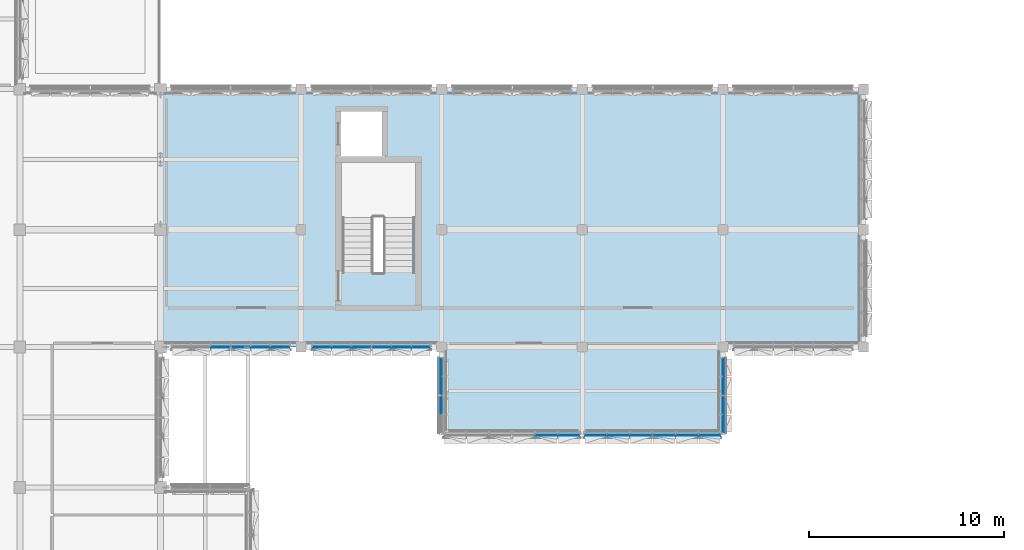
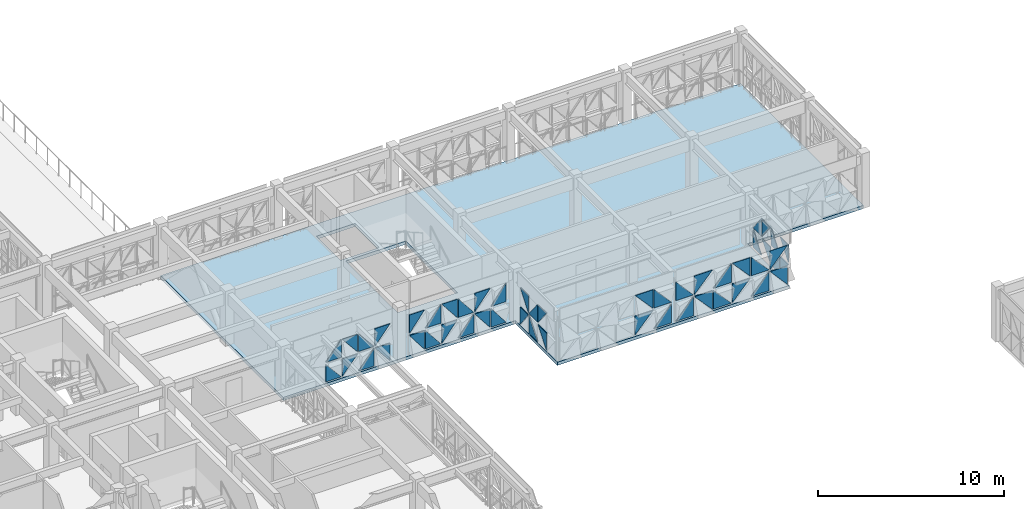
# One storey, part 38 of 99: 50 plates, 1 slab, 6 elements without a shape of their own.
"""IFC4 building model written with IfcOpenShell, lengths in metres."""

import ifcopenshell
import ifcopenshell.guid

model = None  # the IFC model being written
_history = None  # IfcOwnerHistory: only IFC2X3 demands one
_inside = {}  # id of a spatial element -> (the spatial element, [elements in it])
_under = {}  # id of a project, library or spatial element -> (it, [spatial elements below it])
_declared = {}  # id of a project -> (the project, [libraries it declares])
_typed = {}  # id of a type object -> (the type object, [elements of that type])
_made_of = {}  # id of a material, layer set ... -> (it, [elements and type objects made of it])


def new_model(schema):
    """Start an empty IFC model of exactly this schema.

    Asked for "IFC4X3", IfcOpenShell would pick the latest addendum, in which some entities
    have other attributes; the version numbers below select the first issue.
    IFC2X3 requires an IfcOwnerHistory on every rooted entity: one is made here for all.
    """
    global model, _history
    if schema == "IFC4X3":
        model = ifcopenshell.file(schema_version=(4, 3, 0, 0))
    else:
        model = ifcopenshell.file(schema=schema)
    _inside.clear()
    _under.clear()
    _declared.clear()
    _typed.clear()
    _made_of.clear()
    _history = None
    if model.schema == "IFC2X3":
        org = make("IfcOrganization", Name="unknown")
        user = make(
            "IfcPersonAndOrganization",
            ThePerson=make("IfcPerson", FamilyName="unknown"),
            TheOrganization=org,
        )
        app = make(
            "IfcApplication",
            ApplicationDeveloper=org,
            Version="unknown",
            ApplicationFullName="unknown",
            ApplicationIdentifier="unknown",
        )
        _history = make(
            "IfcOwnerHistory",
            OwningUser=user,
            OwningApplication=app,
            ChangeAction="ADDED",
            CreationDate=0,
        )
    return model


def make(cls, **values):
    """One entity of the class cls with the attributes given. An attribute that is None is left unset."""
    return model.create_entity(
        cls, **{name: value for name, value in values.items() if value is not None}
    )


def rooted(cls, **values):
    """An entity with a GlobalId (a new one), such as an element, a storey or a relation."""
    return make(cls, GlobalId=ifcopenshell.guid.new(), OwnerHistory=_history, **values)


def si_unit(unit_type, name, prefix=None):
    """IfcSIUnit, for example si_unit("LENGTHUNIT", "METRE", prefix="MILLI")."""
    return make("IfcSIUnit", UnitType=unit_type, Prefix=prefix, Name=name)


def assignment(units):
    """IfcUnitAssignment: the units of a project."""
    return None if units is None else make("IfcUnitAssignment", Units=units)


def point(xyz):
    """IfcCartesianPoint."""
    return None if xyz is None else make("IfcCartesianPoint", Coordinates=xyz)


def direction(xyz):
    """IfcDirection."""
    return None if xyz is None else make("IfcDirection", DirectionRatios=xyz)


def frame(location, z_axis=None, x_axis=None):
    """IfcAxis2Placement3D, a coordinate frame: its origin and axes. An axis left out is left unset."""
    return make(
        "IfcAxis2Placement3D",
        Location=point(location),
        Axis=direction(z_axis),
        RefDirection=direction(x_axis),
    )


def origin():
    """The frame at (0, 0, 0) with its axes left unset."""
    return frame((0.0, 0.0, 0.0))


def place(relative_to, where):
    """IfcLocalPlacement: puts the frame where relative to a parent placement (None: the world)."""
    return make(
        "IfcLocalPlacement", PlacementRelTo=relative_to, RelativePlacement=where
    )


def context(
    kind, dimensions, precision=None, world=None, true_north=None, identifier=None
):
    """IfcGeometricRepresentationContext, for example the 3D "Model" context."""
    return make(
        "IfcGeometricRepresentationContext",
        ContextIdentifier=identifier,
        ContextType=kind,
        CoordinateSpaceDimension=dimensions,
        Precision=precision,
        WorldCoordinateSystem=world,
        TrueNorth=true_north,
    )


def subcontext(parent, identifier, kind, view, scale=None):
    """IfcGeometricRepresentationSubContext, for example "Body" below "Model"."""
    return make(
        "IfcGeometricRepresentationSubContext",
        ContextIdentifier=identifier,
        ContextType=kind,
        ParentContext=parent,
        TargetScale=scale,
        TargetView=view,
    )


def project(units=None, contexts=None):
    """IfcProject with its units and contexts."""
    return rooted(
        "IfcProject",
        Name="project",
        RepresentationContexts=contexts,
        UnitsInContext=assignment(units),
    )


def spatial(cls, under=None, at=None, **own):
    """A site, building, storey or space (cls), placed at a placement, below another one or the project."""
    s = rooted(cls, ObjectPlacement=at, **own)
    if under is not None:
        _under.setdefault(under.id(), (under, []))[1].append(s)
    return s


def polyline(points):
    """IfcPolyline through the points."""
    return make("IfcPolyline", Points=[point(p) for p in points])


def outline(outer, holes=None, kind="AREA"):
    """IfcArbitraryClosedProfileDef: a profile drawn as a closed curve; with holes, ...WithVoids."""
    if holes is None:
        return make("IfcArbitraryClosedProfileDef", ProfileType=kind, OuterCurve=outer)
    return make(
        "IfcArbitraryProfileDefWithVoids",
        ProfileType=kind,
        OuterCurve=outer,
        InnerCurves=holes,
    )


def extrude(swept, where, along, depth):
    """IfcExtrudedAreaSolid: the profile swept, set in the frame where, extruded along a direction by depth."""
    return make(
        "IfcExtrudedAreaSolid",
        SweptArea=swept,
        Position=where,
        ExtrudedDirection=direction(along),
        Depth=depth,
    )


def shape(context_of_items, identifier, shape_type, items):
    """IfcShapeRepresentation: the items that make up one representation, for example the "Body"."""
    return make(
        "IfcShapeRepresentation",
        ContextOfItems=context_of_items,
        RepresentationIdentifier=identifier,
        RepresentationType=shape_type,
        Items=items,
    )


def material(Name=None, Category=None):
    """IfcMaterial."""
    return make("IfcMaterial", Name=Name, Category=Category)


def layer(
    of_material, thickness, ventilated=None, Name=None, Category=None, Priority=None
):
    """IfcMaterialLayer: one layer of a wall or slab, of a material (None: an air gap)."""
    return make(
        "IfcMaterialLayer",
        Material=of_material,
        LayerThickness=thickness,
        IsVentilated=ventilated,
        Name=Name,
        Category=Category,
        Priority=Priority,
    )


def layer_set(layers, Name=None):
    """IfcMaterialLayerSet."""
    return make("IfcMaterialLayerSet", MaterialLayers=layers, LayerSetName=Name)


def made_of(thing, what):
    """Note that an element or type object is made of a material, layer set ...; save() writes the relation."""
    if what is not None:
        _made_of.setdefault(what.id(), (what, []))[1].append(thing)
    return thing


def type_object(cls, material=None, **own):
    """A type object (cls), such as IfcWallType, which elements share."""
    return made_of(rooted(cls, **own), material)


def element(
    cls,
    number,
    at=None,
    inside=None,
    cuts=None,
    type_object=None,
    material=None,
    context=None,
    identifier="Body",
    shape_type=None,
    held_by="IfcProductDefinitionShape",
    body=None,
    shapes=None,
    **own,
):
    """One element of the class cls, such as IfcWall. Its Tag is "e" and its number.

    at: its placement. inside: the storey or other place that contains it. cuts: it is an
    opening in that element (IfcRelVoidsElement). A single representation is given by context,
    identifier, shape_type and body (its items); several are given by shapes. held_by: the class
    of the entity that holds the representations. save() writes the other relations.
    """
    e = rooted(cls, Tag="e%d" % number, ObjectPlacement=at, **own)
    if body is not None:
        shapes = [shape(context, identifier, shape_type, body)]
    if shapes is not None:
        e.Representation = make(held_by, Representations=shapes)
    if inside is not None:
        _inside.setdefault(inside.id(), (inside, []))[1].append(e)
    if cuts is not None:
        rooted(
            "IfcRelVoidsElement", RelatingBuildingElement=cuts, RelatedOpeningElement=e
        )
    if type_object is not None:
        _typed.setdefault(type_object.id(), (type_object, []))[1].append(e)
    return made_of(e, material)


def aggregate(whole, parts):
    """IfcRelAggregates: a whole, such as a stair, and the parts it consists of."""
    return rooted("IfcRelAggregates", RelatingObject=whole, RelatedObjects=parts)


def save(model, path):
    """Write the relations noted so far, then the file.

    IfcRelAggregates (storeys below a building ...), IfcRelContainedInSpatialStructure (elements
    in a storey), IfcRelDefinesByType, IfcRelAssociatesMaterial and IfcRelDeclares: one each for
    every whole, place, type object, material and project.
    """
    for whole, parts in _under.values():
        aggregate(whole, parts)
    for where, things in _inside.values():
        rooted(
            "IfcRelContainedInSpatialStructure",
            RelatedElements=things,
            RelatingStructure=where,
        )
    for kind, things in _typed.values():
        rooted("IfcRelDefinesByType", RelatedObjects=things, RelatingType=kind)
    for what, things in _made_of.values():
        rooted("IfcRelAssociatesMaterial", RelatedObjects=things, RelatingMaterial=what)
    for by, libraries in _declared.values():
        rooted("IfcRelDeclares", RelatingContext=by, RelatedDefinitions=libraries)
    model.write(path)


model = new_model("IFC4")

# Units and contexts
model_context = context("Model", 3, precision=1e-05, world=origin(), true_north=direction((0.0, 1.0)))
body_context = subcontext(model_context, "Body", "Model", "MODEL_VIEW")
ifc_project = project(units=[si_unit("LENGTHUNIT", "METRE"), si_unit("AREAUNIT", "SQUARE_METRE"), si_unit("VOLUMEUNIT", "CUBIC_METRE"), si_unit("PLANEANGLEUNIT", "RADIAN"), si_unit("MASSUNIT", "GRAM", prefix="KILO")], contexts=[model_context])

# Site, building, storey
site_placement = place(None, origin())
site = spatial("IfcSite", under=ifc_project, at=site_placement, CompositionType="ELEMENT")
building_placement = place(site_placement, origin())
building = spatial("IfcBuilding", under=site, at=building_placement, Name="Alvorim Cloister Faculty of Sciences", CompositionType="ELEMENT")
storey_placement = place(building_placement, frame((0.0, 0.0, 12.14990234375)))
storey = spatial("IfcBuildingStorey", under=building, at=storey_placement, Name="L03", CompositionType="ELEMENT", Elevation=12.14990234375)

# Curtain wall, plates
ifc_material_1 = material(Name="Aluminium and Low-E Glass Curtain Wall", Category="aluminium")
curtain_wall_type_1 = type_object("IfcCurtainWallType", Name="CW-TRI-3880x2706", PredefinedType="USERDEFINED", material=ifc_material_1)
curtain_wall_1_placement = place(storey_placement, origin())
curtain_wall_1 = element("IfcCurtainWall", 1, at=curtain_wall_1_placement, inside=storey, type_object=curtain_wall_type_1, Name="L03 Diagonal Cassette Curtain Wall CW-0133", ObjectType="UNITISED CURTAIN WALL", PredefinedType="USERDEFINED")
ifc_material_2 = material(Name="Double Low-E Laminated Glass", Category="glass")
ifc_layer_1 = layer(ifc_material_2, 0.0400390625)
ifc_layer_set_1 = layer_set([ifc_layer_1], Name="Double Low-E Laminated Glass")
plate_type = type_object("IfcPlateType", Name="PN-GLZ-40", PredefinedType="CURTAIN_PANEL", material=ifc_layer_set_1)
plate_1_placement = place(storey_placement, frame((57.625, 38.844970703125, 0.14013671875), z_axis=(0.0, 0.0, 1.0), x_axis=(0.0, 1.0, 0.0)))
plate_1 = element("IfcPlate", 2, at=plate_1_placement, type_object=plate_type, Name="Diagonal Glazed Triangle TRI-TR", PredefinedType="CURTAIN_PANEL", context=body_context, shape_type="SweptSolid", body=[
    extrude(outline(polyline([(0.87255859375, 0.001953125), (0.87255859375, 1.14306640625), (0.001953125, 1.14306640625), (0.87255859375, 0.001953125)])), frame((0.0, 0.02490234375, 0.0), z_axis=(0.0, -1.0, 0.0), x_axis=(1.0, 0.0, 0.0)), (0.0, 0.0, 1.0), 0.050048828125),
])
plate_2_placement = place(storey_placement, frame((57.625, 38.844970703125, 1.423095703125), z_axis=(0.0, 0.0, 1.0), x_axis=(0.0, 1.0, 0.0)))
plate_2 = element("IfcPlate", 3, at=plate_2_placement, type_object=plate_type, Name="Diagonal Glazed Triangle TRI-TL", PredefinedType="CURTAIN_PANEL", context=body_context, shape_type="SweptSolid", body=[
    extrude(outline(polyline([(0.87060546875, 1.14306640625), (0.0, 1.14306640625), (0.0, 0.001953125), (0.87060546875, 1.14306640625)])), frame((0.0, 0.02490234375, 0.0), z_axis=(0.0, -1.0, 0.0), x_axis=(1.0, 0.0, 0.0)), (0.0, 0.0, 1.0), 0.050048828125),
])
plate_3_placement = place(storey_placement, frame((57.625, 39.782470703125, 0.14013671875), z_axis=(0.0, 0.0, 1.0), x_axis=(0.0, 1.0, 0.0)))
plate_3 = element("IfcPlate", 4, at=plate_3_placement, type_object=plate_type, Name="Diagonal Glazed Triangle TRI-BL", PredefinedType="CURTAIN_PANEL", context=body_context, shape_type="SweptSolid", body=[
    extrude(outline(polyline([(0.0, 0.0), (0.903076171875, 0.0), (0.0, 1.14111328125), (0.0, 0.0)])), frame((0.0, 0.02490234375, 0.0), z_axis=(0.0, -1.0, 0.0), x_axis=(1.0, 0.0, 0.0)), (0.0, 0.0, 1.0), 0.050048828125),
])
plate_4_placement = place(storey_placement, frame((57.625, 39.782470703125, 1.423095703125), z_axis=(0.0, 0.0, 1.0), x_axis=(0.0, 1.0, 0.0)))
plate_4 = element("IfcPlate", 5, at=plate_4_placement, type_object=plate_type, Name="Diagonal Glazed Triangle TRI-BR", PredefinedType="CURTAIN_PANEL", context=body_context, shape_type="SweptSolid", body=[
    extrude(outline(polyline([(0.001953125, 0.0), (0.905029296875, 0.0), (0.905029296875, 1.14111328125), (0.001953125, 0.0)])), frame((0.0, 0.02490234375, 0.0), z_axis=(0.0, -1.0, 0.0), x_axis=(1.0, 0.0, 0.0)), (0.0, 0.0, 1.0), 0.050048828125),
])
plate_5_placement = place(storey_placement, frame((57.625, 40.75244140625, 0.14013671875), z_axis=(0.0, 0.0, 1.0), x_axis=(0.0, 1.0, 0.0)))
plate_5 = element("IfcPlate", 6, at=plate_5_placement, type_object=plate_type, Name="Diagonal Glazed Triangle TRI-TL", PredefinedType="CURTAIN_PANEL", context=body_context, shape_type="SweptSolid", body=[
    extrude(outline(polyline([(0.903076171875, 1.14306640625), (0.0, 1.14306640625), (0.0, 0.001953125), (0.903076171875, 1.14306640625)])), frame((0.0, 0.02490234375, 0.0), z_axis=(0.0, -1.0, 0.0), x_axis=(1.0, 0.0, 0.0)), (0.0, 0.0, 1.0), 0.050048828125),
])
plate_6_placement = place(storey_placement, frame((57.625, 40.75244140625, 1.423095703125), z_axis=(0.0, 0.0, 1.0), x_axis=(0.0, 1.0, 0.0)))
plate_6 = element("IfcPlate", 7, at=plate_6_placement, type_object=plate_type, Name="Diagonal Glazed Triangle TRI-TR", PredefinedType="CURTAIN_PANEL", context=body_context, shape_type="SweptSolid", body=[
    extrude(outline(polyline([(0.905029296875, 0.001953125), (0.905029296875, 1.14306640625), (0.001953125, 1.14306640625), (0.905029296875, 0.001953125)])), frame((0.0, 0.02490234375, 0.0), z_axis=(0.0, -1.0, 0.0), x_axis=(1.0, 0.0, 0.0)), (0.0, 0.0, 1.0), 0.050048828125),
])
plate_7_placement = place(storey_placement, frame((57.625, 41.722412109375, 0.14013671875), z_axis=(0.0, 0.0, 1.0), x_axis=(0.0, 1.0, 0.0)))
plate_7 = element("IfcPlate", 8, at=plate_7_placement, type_object=plate_type, Name="Diagonal Glazed Triangle TRI-BR", PredefinedType="CURTAIN_PANEL", context=body_context, shape_type="SweptSolid", body=[
    extrude(outline(polyline([(0.001953125, 0.0), (0.87255859375, 0.0), (0.87255859375, 1.14111328125), (0.001953125, 0.0)])), frame((0.0, 0.02490234375, 0.0), z_axis=(0.0, -1.0, 0.0), x_axis=(1.0, 0.0, 0.0)), (0.0, 0.0, 1.0), 0.050048828125),
])
plate_8_placement = place(storey_placement, frame((57.625, 41.722412109375, 1.423095703125), z_axis=(0.0, 0.0, 1.0), x_axis=(0.0, 1.0, 0.0)))
plate_8 = element("IfcPlate", 9, at=plate_8_placement, type_object=plate_type, Name="Diagonal Glazed Triangle TRI-BL", PredefinedType="CURTAIN_PANEL", context=body_context, shape_type="SweptSolid", body=[
    extrude(outline(polyline([(0.0, 0.0), (0.87060546875, 0.0), (0.0, 1.14111328125), (0.0, 0.0)])), frame((0.0, 0.02490234375, 0.0), z_axis=(0.0, -1.0, 0.0), x_axis=(1.0, 0.0, 0.0)), (0.0, 0.0, 1.0), 0.050048828125),
])
aggregate(curtain_wall_1, [plate_1, plate_2, plate_3, plate_4, plate_5, plate_6, plate_7, plate_8])

curtain_wall_type_2 = type_object("IfcCurtainWallType", Name="CW-TRI-7040x2857", PredefinedType="USERDEFINED", material=ifc_material_1)
curtain_wall_2_placement = place(storey_placement, origin())
curtain_wall_2 = element("IfcCurtainWall", 10, at=curtain_wall_2_placement, inside=storey, type_object=curtain_wall_type_2, Name="L03 Diagonal Cassette Curtain Wall CW-0134", ObjectType="UNITISED CURTAIN WALL", PredefinedType="USERDEFINED")
plate_9_placement = place(storey_placement, frame((50.544921875, 38.675048828125, 0.14013671875), z_axis=(0.0, 0.0, 1.0), x_axis=(1.0, 0.0, 0.0)))
plate_9 = element("IfcPlate", 11, at=plate_9_placement, type_object=plate_type, Name="Diagonal Glazed Triangle TRI-BR", PredefinedType="CURTAIN_PANEL", context=body_context, shape_type="SweptSolid", body=[
    extrude(outline(polyline([(0.001953125, 0.0), (1.075927734375, 0.0), (1.075927734375, 1.216552734375), (0.001953125, 0.0)])), frame((0.0, 0.02490234375, 0.0), z_axis=(0.0, -1.0, 0.0), x_axis=(1.0, 0.0, 0.0)), (0.0, 0.0, 1.0), 0.050048828125),
])
plate_10_placement = place(storey_placement, frame((50.544921875, 38.675048828125, 1.49853515625), z_axis=(0.0, 0.0, 1.0), x_axis=(1.0, 0.0, 0.0)))
plate_10 = element("IfcPlate", 12, at=plate_10_placement, type_object=plate_type, Name="Diagonal Glazed Triangle TRI-BL", PredefinedType="CURTAIN_PANEL", context=body_context, shape_type="SweptSolid", body=[
    extrude(outline(polyline([(0.0, 0.0), (1.073974609375, 0.0), (0.0, 1.216552734375), (0.0, 0.0)])), frame((0.0, 0.02490234375, 0.0), z_axis=(0.0, -1.0, 0.0), x_axis=(1.0, 0.0, 0.0)), (0.0, 0.0, 1.0), 0.050048828125),
])
plate_11_placement = place(storey_placement, frame((51.685791015625, 38.675048828125, 0.14013671875), z_axis=(0.0, 0.0, 1.0), x_axis=(1.0, 0.0, 0.0)))
plate_11 = element("IfcPlate", 13, at=plate_11_placement, type_object=plate_type, Name="Diagonal Glazed Triangle TRI-TR", PredefinedType="CURTAIN_PANEL", context=body_context, shape_type="SweptSolid", body=[
    extrude(outline(polyline([(1.1083984375, 0.001953125), (1.1083984375, 1.218505859375), (0.001953125, 1.218505859375), (1.1083984375, 0.001953125)])), frame((0.0, 0.02490234375, 0.0), z_axis=(0.0, -1.0, 0.0), x_axis=(1.0, 0.0, 0.0)), (0.0, 0.0, 1.0), 0.050048828125),
])
plate_12_placement = place(storey_placement, frame((51.685791015625, 38.675048828125, 1.49853515625), z_axis=(0.0, 0.0, 1.0), x_axis=(1.0, 0.0, 0.0)))
plate_12 = element("IfcPlate", 14, at=plate_12_placement, type_object=plate_type, Name="Diagonal Glazed Triangle TRI-TL", PredefinedType="CURTAIN_PANEL", context=body_context, shape_type="SweptSolid", body=[
    extrude(outline(polyline([(1.1064453125, 1.218505859375), (0.0, 1.218505859375), (0.0, 0.001953125), (1.1064453125, 1.218505859375)])), frame((0.0, 0.02490234375, 0.0), z_axis=(0.0, -1.0, 0.0), x_axis=(1.0, 0.0, 0.0)), (0.0, 0.0, 1.0), 0.050048828125),
])
plate_13_placement = place(storey_placement, frame((52.859130859375, 38.675048828125, 0.14013671875), z_axis=(0.0, 0.0, 1.0), x_axis=(1.0, 0.0, 0.0)))
plate_13 = element("IfcPlate", 15, at=plate_13_placement, type_object=plate_type, Name="Diagonal Glazed Triangle TRI-BL", PredefinedType="CURTAIN_PANEL", context=body_context, shape_type="SweptSolid", body=[
    extrude(outline(polyline([(0.0, 0.0), (1.1064453125, 0.0), (0.0, 1.216552734375), (0.0, 0.0)])), frame((0.0, 0.02490234375, 0.0), z_axis=(0.0, -1.0, 0.0), x_axis=(1.0, 0.0, 0.0)), (0.0, 0.0, 1.0), 0.050048828125),
])
plate_14_placement = place(storey_placement, frame((52.859130859375, 38.675048828125, 1.49853515625), z_axis=(0.0, 0.0, 1.0), x_axis=(1.0, 0.0, 0.0)))
plate_14 = element("IfcPlate", 16, at=plate_14_placement, type_object=plate_type, Name="Diagonal Glazed Triangle TRI-BR", PredefinedType="CURTAIN_PANEL", context=body_context, shape_type="SweptSolid", body=[
    extrude(outline(polyline([(0.001953125, 0.0), (1.1083984375, 0.0), (1.1083984375, 1.216552734375), (0.001953125, 0.0)])), frame((0.0, 0.02490234375, 0.0), z_axis=(0.0, -1.0, 0.0), x_axis=(1.0, 0.0, 0.0)), (0.0, 0.0, 1.0), 0.050048828125),
])
plate_15_placement = place(storey_placement, frame((54.032470703125, 38.675048828125, 0.14013671875), z_axis=(0.0, 0.0, 1.0), x_axis=(1.0, 0.0, 0.0)))
plate_15 = element("IfcPlate", 17, at=plate_15_placement, type_object=plate_type, Name="Diagonal Glazed Triangle TRI-TL", PredefinedType="CURTAIN_PANEL", context=body_context, shape_type="SweptSolid", body=[
    extrude(outline(polyline([(1.1064453125, 1.218505859375), (0.0, 1.218505859375), (0.0, 0.001953125), (1.1064453125, 1.218505859375)])), frame((0.0, 0.02490234375, 0.0), z_axis=(0.0, -1.0, 0.0), x_axis=(1.0, 0.0, 0.0)), (0.0, 0.0, 1.0), 0.050048828125),
])
plate_16_placement = place(storey_placement, frame((54.032470703125, 38.675048828125, 1.49853515625), z_axis=(0.0, 0.0, 1.0), x_axis=(1.0, 0.0, 0.0)))
plate_16 = element("IfcPlate", 18, at=plate_16_placement, type_object=plate_type, Name="Diagonal Glazed Triangle TRI-TR", PredefinedType="CURTAIN_PANEL", context=body_context, shape_type="SweptSolid", body=[
    extrude(outline(polyline([(1.1083984375, 0.001953125), (1.1083984375, 1.218505859375), (0.001953125, 1.218505859375), (1.1083984375, 0.001953125)])), frame((0.0, 0.02490234375, 0.0), z_axis=(0.0, -1.0, 0.0), x_axis=(1.0, 0.0, 0.0)), (0.0, 0.0, 1.0), 0.050048828125),
])
plate_17_placement = place(storey_placement, frame((55.205810546875, 38.675048828125, 0.14013671875), z_axis=(0.0, 0.0, 1.0), x_axis=(1.0, 0.0, 0.0)))
plate_17 = element("IfcPlate", 19, at=plate_17_placement, type_object=plate_type, Name="Diagonal Glazed Triangle TRI-BR", PredefinedType="CURTAIN_PANEL", context=body_context, shape_type="SweptSolid", body=[
    extrude(outline(polyline([(0.001953125, 0.0), (1.1083984375, 0.0), (1.1083984375, 1.216552734375), (0.001953125, 0.0)])), frame((0.0, 0.02490234375, 0.0), z_axis=(0.0, -1.0, 0.0), x_axis=(1.0, 0.0, 0.0)), (0.0, 0.0, 1.0), 0.050048828125),
])
plate_18_placement = place(storey_placement, frame((55.205810546875, 38.675048828125, 1.49853515625), z_axis=(0.0, 0.0, 1.0), x_axis=(1.0, 0.0, 0.0)))
plate_18 = element("IfcPlate", 20, at=plate_18_placement, type_object=plate_type, Name="Diagonal Glazed Triangle TRI-BL", PredefinedType="CURTAIN_PANEL", context=body_context, shape_type="SweptSolid", body=[
    extrude(outline(polyline([(0.0, 0.0), (1.1064453125, 0.0), (0.0, 1.216552734375), (0.0, 0.0)])), frame((0.0, 0.02490234375, 0.0), z_axis=(0.0, -1.0, 0.0), x_axis=(1.0, 0.0, 0.0)), (0.0, 0.0, 1.0), 0.050048828125),
])
plate_19_placement = place(storey_placement, frame((56.379150390625, 38.675048828125, 0.14013671875), z_axis=(0.0, 0.0, 1.0), x_axis=(1.0, 0.0, 0.0)))
plate_19 = element("IfcPlate", 21, at=plate_19_placement, type_object=plate_type, Name="Diagonal Glazed Triangle TRI-TR", PredefinedType="CURTAIN_PANEL", context=body_context, shape_type="SweptSolid", body=[
    extrude(outline(polyline([(1.075927734375, 0.001953125), (1.075927734375, 1.218505859375), (0.001953125, 1.218505859375), (1.075927734375, 0.001953125)])), frame((0.0, 0.02490234375, 0.0), z_axis=(0.0, -1.0, 0.0), x_axis=(1.0, 0.0, 0.0)), (0.0, 0.0, 1.0), 0.050048828125),
])
plate_20_placement = place(storey_placement, frame((56.379150390625, 38.675048828125, 1.49853515625), z_axis=(0.0, 0.0, 1.0), x_axis=(1.0, 0.0, 0.0)))
plate_20 = element("IfcPlate", 22, at=plate_20_placement, type_object=plate_type, Name="Diagonal Glazed Triangle TRI-TL", PredefinedType="CURTAIN_PANEL", context=body_context, shape_type="SweptSolid", body=[
    extrude(outline(polyline([(1.073974609375, 1.218505859375), (0.0, 1.218505859375), (0.0, 0.001953125), (1.073974609375, 1.218505859375)])), frame((0.0, 0.02490234375, 0.0), z_axis=(0.0, -1.0, 0.0), x_axis=(1.0, 0.0, 0.0)), (0.0, 0.0, 1.0), 0.050048828125),
])
aggregate(curtain_wall_2, [plate_9, plate_10, plate_11, plate_12, plate_13, plate_14, plate_15, plate_16, plate_17, plate_18, plate_19, plate_20])

curtain_wall_3_placement = place(storey_placement, origin())
curtain_wall_3 = element("IfcCurtainWall", 23, at=curtain_wall_3_placement, inside=storey, type_object=curtain_wall_type_2, Name="L03 Diagonal Cassette Curtain Wall CW-0135", ObjectType="UNITISED CURTAIN WALL", PredefinedType="USERDEFINED")
plate_21_placement = place(storey_placement, frame((48.005859375, 38.675048828125, 0.14013671875), z_axis=(0.0, 0.0, 1.0), x_axis=(1.0, 0.0, 0.0)))
plate_21 = element("IfcPlate", 24, at=plate_21_placement, type_object=plate_type, Name="Diagonal Glazed Triangle TRI-TL", PredefinedType="CURTAIN_PANEL", context=body_context, shape_type="SweptSolid", body=[
    extrude(outline(polyline([(1.1064453125, 1.218505859375), (0.0, 1.218505859375), (0.0, 0.001953125), (1.1064453125, 1.218505859375)])), frame((0.0, 0.02490234375, 0.0), z_axis=(0.0, -1.0, 0.0), x_axis=(1.0, 0.0, 0.0)), (0.0, 0.0, 1.0), 0.050048828125),
])
plate_22_placement = place(storey_placement, frame((48.005859375, 38.675048828125, 1.49853515625), z_axis=(0.0, 0.0, 1.0), x_axis=(1.0, 0.0, 0.0)))
plate_22 = element("IfcPlate", 25, at=plate_22_placement, type_object=plate_type, Name="Diagonal Glazed Triangle TRI-TR", PredefinedType="CURTAIN_PANEL", context=body_context, shape_type="SweptSolid", body=[
    extrude(outline(polyline([(1.1083984375, 0.001953125), (1.1083984375, 1.218505859375), (0.001953125, 1.218505859375), (1.1083984375, 0.001953125)])), frame((0.0, 0.02490234375, 0.0), z_axis=(0.0, -1.0, 0.0), x_axis=(1.0, 0.0, 0.0)), (0.0, 0.0, 1.0), 0.050048828125),
])
plate_23_placement = place(storey_placement, frame((49.17919921875, 38.675048828125, 0.14013671875), z_axis=(0.0, 0.0, 1.0), x_axis=(1.0, 0.0, 0.0)))
plate_23 = element("IfcPlate", 26, at=plate_23_placement, type_object=plate_type, Name="Diagonal Glazed Triangle TRI-BR", PredefinedType="CURTAIN_PANEL", context=body_context, shape_type="SweptSolid", body=[
    extrude(outline(polyline([(0.001953125, 0.0), (1.075927734375, 0.0), (1.075927734375, 1.216552734375), (0.001953125, 0.0)])), frame((0.0, 0.02490234375, 0.0), z_axis=(0.0, -1.0, 0.0), x_axis=(1.0, 0.0, 0.0)), (0.0, 0.0, 1.0), 0.050048828125),
])
plate_24_placement = place(storey_placement, frame((49.17919921875, 38.675048828125, 1.49853515625), z_axis=(0.0, 0.0, 1.0), x_axis=(1.0, 0.0, 0.0)))
plate_24 = element("IfcPlate", 27, at=plate_24_placement, type_object=plate_type, Name="Diagonal Glazed Triangle TRI-BL", PredefinedType="CURTAIN_PANEL", context=body_context, shape_type="SweptSolid", body=[
    extrude(outline(polyline([(0.0, 0.0), (1.073974609375, 0.0), (0.0, 1.216552734375), (0.0, 0.0)])), frame((0.0, 0.02490234375, 0.0), z_axis=(0.0, -1.0, 0.0), x_axis=(1.0, 0.0, 0.0)), (0.0, 0.0, 1.0), 0.050048828125),
])
aggregate(curtain_wall_3, [plate_21, plate_22, plate_23, plate_24])

curtain_wall_4_placement = place(storey_placement, origin())
curtain_wall_4 = element("IfcCurtainWall", 28, at=curtain_wall_4_placement, inside=storey, type_object=curtain_wall_type_1, Name="L03 Diagonal Cassette Curtain Wall CW-0136", ObjectType="UNITISED CURTAIN WALL", PredefinedType="USERDEFINED")
plate_25_placement = place(storey_placement, frame((43.175048828125, 39.782470703125, 0.14013671875), z_axis=(0.0, 0.0, 1.0), x_axis=(0.0, 1.0, 0.0)))
plate_25 = element("IfcPlate", 29, at=plate_25_placement, type_object=plate_type, Name="Diagonal Glazed Triangle TRI-TL", PredefinedType="CURTAIN_PANEL", context=body_context, shape_type="SweptSolid", body=[
    extrude(outline(polyline([(0.903076171875, 1.14306640625), (0.0, 1.14306640625), (0.0, 0.001953125), (0.903076171875, 1.14306640625)])), frame((0.0, 0.02490234375, 0.0), z_axis=(0.0, -1.0, 0.0), x_axis=(1.0, 0.0, 0.0)), (0.0, 0.0, 1.0), 0.050048828125),
])
plate_26_placement = place(storey_placement, frame((43.175048828125, 39.782470703125, 1.423095703125), z_axis=(0.0, 0.0, 1.0), x_axis=(0.0, 1.0, 0.0)))
plate_26 = element("IfcPlate", 30, at=plate_26_placement, type_object=plate_type, Name="Diagonal Glazed Triangle TRI-TR", PredefinedType="CURTAIN_PANEL", context=body_context, shape_type="SweptSolid", body=[
    extrude(outline(polyline([(0.905029296875, 0.001953125), (0.905029296875, 1.14306640625), (0.001953125, 1.14306640625), (0.905029296875, 0.001953125)])), frame((0.0, 0.02490234375, 0.0), z_axis=(0.0, -1.0, 0.0), x_axis=(1.0, 0.0, 0.0)), (0.0, 0.0, 1.0), 0.050048828125),
])
plate_27_placement = place(storey_placement, frame((43.175048828125, 40.75244140625, 0.14013671875), z_axis=(0.0, 0.0, 1.0), x_axis=(0.0, 1.0, 0.0)))
plate_27 = element("IfcPlate", 31, at=plate_27_placement, type_object=plate_type, Name="Diagonal Glazed Triangle TRI-BR", PredefinedType="CURTAIN_PANEL", context=body_context, shape_type="SweptSolid", body=[
    extrude(outline(polyline([(0.001953125, 0.0), (0.905029296875, 0.0), (0.905029296875, 1.14111328125), (0.001953125, 0.0)])), frame((0.0, 0.02490234375, 0.0), z_axis=(0.0, -1.0, 0.0), x_axis=(1.0, 0.0, 0.0)), (0.0, 0.0, 1.0), 0.050048828125),
])
plate_28_placement = place(storey_placement, frame((43.175048828125, 40.75244140625, 1.423095703125), z_axis=(0.0, 0.0, 1.0), x_axis=(0.0, 1.0, 0.0)))
plate_28 = element("IfcPlate", 32, at=plate_28_placement, type_object=plate_type, Name="Diagonal Glazed Triangle TRI-BL", PredefinedType="CURTAIN_PANEL", context=body_context, shape_type="SweptSolid", body=[
    extrude(outline(polyline([(0.0, 0.0), (0.903076171875, 0.0), (0.0, 1.14111328125), (0.0, 0.0)])), frame((0.0, 0.02490234375, 0.0), z_axis=(0.0, -1.0, 0.0), x_axis=(1.0, 0.0, 0.0)), (0.0, 0.0, 1.0), 0.050048828125),
])
plate_29_placement = place(storey_placement, frame((43.175048828125, 41.722412109375, 0.14013671875), z_axis=(0.0, 0.0, 1.0), x_axis=(0.0, 1.0, 0.0)))
plate_29 = element("IfcPlate", 33, at=plate_29_placement, type_object=plate_type, Name="Diagonal Glazed Triangle TRI-TR", PredefinedType="CURTAIN_PANEL", context=body_context, shape_type="SweptSolid", body=[
    extrude(outline(polyline([(0.87255859375, 0.001953125), (0.87255859375, 1.14306640625), (0.001953125, 1.14306640625), (0.87255859375, 0.001953125)])), frame((0.0, 0.02490234375, 0.0), z_axis=(0.0, -1.0, 0.0), x_axis=(1.0, 0.0, 0.0)), (0.0, 0.0, 1.0), 0.050048828125),
])
plate_30_placement = place(storey_placement, frame((43.175048828125, 41.722412109375, 1.423095703125), z_axis=(0.0, 0.0, 1.0), x_axis=(0.0, 1.0, 0.0)))
plate_30 = element("IfcPlate", 34, at=plate_30_placement, type_object=plate_type, Name="Diagonal Glazed Triangle TRI-TL", PredefinedType="CURTAIN_PANEL", context=body_context, shape_type="SweptSolid", body=[
    extrude(outline(polyline([(0.87060546875, 1.14306640625), (0.0, 1.14306640625), (0.0, 0.001953125), (0.87060546875, 1.14306640625)])), frame((0.0, 0.02490234375, 0.0), z_axis=(0.0, -1.0, 0.0), x_axis=(1.0, 0.0, 0.0)), (0.0, 0.0, 1.0), 0.050048828125),
])
aggregate(curtain_wall_4, [plate_25, plate_26, plate_27, plate_28, plate_29, plate_30])

curtain_wall_type_3 = type_object("IfcCurtainWallType", Name="CW-TRI-6120x2850", PredefinedType="USERDEFINED", material=ifc_material_1)
curtain_wall_5_placement = place(storey_placement, origin())
curtain_wall_5 = element("IfcCurtainWall", 35, at=curtain_wall_5_placement, inside=storey, type_object=curtain_wall_type_3, Name="L03 Diagonal Cassette Curtain Wall CW-0137", ObjectType="UNITISED CURTAIN WALL", PredefinedType="USERDEFINED")
plate_31_placement = place(storey_placement, frame((36.60498046875, 43.175048828125, 0.14013671875), z_axis=(0.0, 0.0, 1.0), x_axis=(1.0, 0.0, 0.0)))
plate_31 = element("IfcPlate", 36, at=plate_31_placement, type_object=plate_type, Name="Diagonal Glazed Triangle TRI-TR", PredefinedType="CURTAIN_PANEL", context=body_context, shape_type="SweptSolid", body=[
    extrude(outline(polyline([(0.922607421875, 0.001953125), (0.922607421875, 1.21484375), (0.001953125, 1.21484375), (0.922607421875, 0.001953125)])), frame((0.0, 0.02490234375, 0.0), z_axis=(0.0, -1.0, 0.0), x_axis=(1.0, 0.0, 0.0)), (0.0, 0.0, 1.0), 0.050048828125),
])
plate_32_placement = place(storey_placement, frame((36.60498046875, 43.175048828125, 1.4951171875), z_axis=(0.0, 0.0, 1.0), x_axis=(1.0, 0.0, 0.0)))
plate_32 = element("IfcPlate", 37, at=plate_32_placement, type_object=plate_type, Name="Diagonal Glazed Triangle TRI-TL", PredefinedType="CURTAIN_PANEL", context=body_context, shape_type="SweptSolid", body=[
    extrude(outline(polyline([(0.920654296875, 1.215087890625), (0.0, 1.215087890625), (0.0, 0.001953125), (0.920654296875, 1.215087890625)])), frame((0.0, 0.02490234375, 0.0), z_axis=(0.0, -1.0, 0.0), x_axis=(1.0, 0.0, 0.0)), (0.0, 0.0, 1.0), 0.050048828125),
])
plate_33_placement = place(storey_placement, frame((37.592529296875, 43.175048828125, 0.14013671875), z_axis=(0.0, 0.0, 1.0), x_axis=(1.0, 0.0, 0.0)))
plate_33 = element("IfcPlate", 38, at=plate_33_placement, type_object=plate_type, Name="Diagonal Glazed Triangle TRI-BL", PredefinedType="CURTAIN_PANEL", context=body_context, shape_type="SweptSolid", body=[
    extrude(outline(polyline([(0.0, 0.0), (0.953125, 0.0), (0.0, 1.212890625), (0.0, 0.0)])), frame((0.0, 0.02490234375, 0.0), z_axis=(0.0, -1.0, 0.0), x_axis=(1.0, 0.0, 0.0)), (0.0, 0.0, 1.0), 0.050048828125),
])
plate_34_placement = place(storey_placement, frame((37.592529296875, 43.175048828125, 1.4951171875), z_axis=(0.0, 0.0, 1.0), x_axis=(1.0, 0.0, 0.0)))
plate_34 = element("IfcPlate", 39, at=plate_34_placement, type_object=plate_type, Name="Diagonal Glazed Triangle TRI-BR", PredefinedType="CURTAIN_PANEL", context=body_context, shape_type="SweptSolid", body=[
    extrude(outline(polyline([(0.001953125, 0.0), (0.955078125, 0.0), (0.955078125, 1.213134765625), (0.001953125, 0.0)])), frame((0.0, 0.02490234375, 0.0), z_axis=(0.0, -1.0, 0.0), x_axis=(1.0, 0.0, 0.0)), (0.0, 0.0, 1.0), 0.050048828125),
])
plate_35_placement = place(storey_placement, frame((38.612548828125, 43.175048828125, 0.14013671875), z_axis=(0.0, 0.0, 1.0), x_axis=(1.0, 0.0, 0.0)))
plate_35 = element("IfcPlate", 40, at=plate_35_placement, type_object=plate_type, Name="Diagonal Glazed Triangle TRI-TL", PredefinedType="CURTAIN_PANEL", context=body_context, shape_type="SweptSolid", body=[
    extrude(outline(polyline([(0.953125, 1.21484375), (0.0, 1.21484375), (0.0, 0.001953125), (0.953125, 1.21484375)])), frame((0.0, 0.02490234375, 0.0), z_axis=(0.0, -1.0, 0.0), x_axis=(1.0, 0.0, 0.0)), (0.0, 0.0, 1.0), 0.050048828125),
])
plate_36_placement = place(storey_placement, frame((38.612548828125, 43.175048828125, 1.4951171875), z_axis=(0.0, 0.0, 1.0), x_axis=(1.0, 0.0, 0.0)))
plate_36 = element("IfcPlate", 41, at=plate_36_placement, type_object=plate_type, Name="Diagonal Glazed Triangle TRI-TR", PredefinedType="CURTAIN_PANEL", context=body_context, shape_type="SweptSolid", body=[
    extrude(outline(polyline([(0.955078125, 0.001953125), (0.955078125, 1.215087890625), (0.001953125, 1.215087890625), (0.955078125, 0.001953125)])), frame((0.0, 0.02490234375, 0.0), z_axis=(0.0, -1.0, 0.0), x_axis=(1.0, 0.0, 0.0)), (0.0, 0.0, 1.0), 0.050048828125),
])
plate_37_placement = place(storey_placement, frame((39.632568359375, 43.175048828125, 0.14013671875), z_axis=(0.0, 0.0, 1.0), x_axis=(1.0, 0.0, 0.0)))
plate_37 = element("IfcPlate", 42, at=plate_37_placement, type_object=plate_type, Name="Diagonal Glazed Triangle TRI-BR", PredefinedType="CURTAIN_PANEL", context=body_context, shape_type="SweptSolid", body=[
    extrude(outline(polyline([(0.001953125, 0.0), (0.955078125, 0.0), (0.955078125, 1.212890625), (0.001953125, 0.0)])), frame((0.0, 0.02490234375, 0.0), z_axis=(0.0, -1.0, 0.0), x_axis=(1.0, 0.0, 0.0)), (0.0, 0.0, 1.0), 0.050048828125),
])
plate_38_placement = place(storey_placement, frame((39.632568359375, 43.175048828125, 1.4951171875), z_axis=(0.0, 0.0, 1.0), x_axis=(1.0, 0.0, 0.0)))
plate_38 = element("IfcPlate", 43, at=plate_38_placement, type_object=plate_type, Name="Diagonal Glazed Triangle TRI-BL", PredefinedType="CURTAIN_PANEL", context=body_context, shape_type="SweptSolid", body=[
    extrude(outline(polyline([(0.0, 0.0), (0.953125, 0.0), (0.0, 1.213134765625), (0.0, 0.0)])), frame((0.0, 0.02490234375, 0.0), z_axis=(0.0, -1.0, 0.0), x_axis=(1.0, 0.0, 0.0)), (0.0, 0.0, 1.0), 0.050048828125),
])
plate_39_placement = place(storey_placement, frame((40.652587890625, 43.175048828125, 0.14013671875), z_axis=(0.0, 0.0, 1.0), x_axis=(1.0, 0.0, 0.0)))
plate_39 = element("IfcPlate", 44, at=plate_39_placement, type_object=plate_type, Name="Diagonal Glazed Triangle TRI-TR", PredefinedType="CURTAIN_PANEL", context=body_context, shape_type="SweptSolid", body=[
    extrude(outline(polyline([(0.955078125, 0.001953125), (0.955078125, 1.21484375), (0.001953125, 1.21484375), (0.955078125, 0.001953125)])), frame((0.0, 0.02490234375, 0.0), z_axis=(0.0, -1.0, 0.0), x_axis=(1.0, 0.0, 0.0)), (0.0, 0.0, 1.0), 0.050048828125),
])
plate_40_placement = place(storey_placement, frame((40.652587890625, 43.175048828125, 1.4951171875), z_axis=(0.0, 0.0, 1.0), x_axis=(1.0, 0.0, 0.0)))
plate_40 = element("IfcPlate", 45, at=plate_40_placement, type_object=plate_type, Name="Diagonal Glazed Triangle TRI-TL", PredefinedType="CURTAIN_PANEL", context=body_context, shape_type="SweptSolid", body=[
    extrude(outline(polyline([(0.953125, 1.215087890625), (0.0, 1.215087890625), (0.0, 0.001953125), (0.953125, 1.215087890625)])), frame((0.0, 0.02490234375, 0.0), z_axis=(0.0, -1.0, 0.0), x_axis=(1.0, 0.0, 0.0)), (0.0, 0.0, 1.0), 0.050048828125),
])
plate_41_placement = place(storey_placement, frame((41.672607421875, 43.175048828125, 0.14013671875), z_axis=(0.0, 0.0, 1.0), x_axis=(1.0, 0.0, 0.0)))
plate_41 = element("IfcPlate", 46, at=plate_41_placement, type_object=plate_type, Name="Diagonal Glazed Triangle TRI-BL", PredefinedType="CURTAIN_PANEL", context=body_context, shape_type="SweptSolid", body=[
    extrude(outline(polyline([(0.0, 0.0), (0.920654296875, 0.0), (0.0, 1.212890625), (0.0, 0.0)])), frame((0.0, 0.02490234375, 0.0), z_axis=(0.0, -1.0, 0.0), x_axis=(1.0, 0.0, 0.0)), (0.0, 0.0, 1.0), 0.050048828125),
])
plate_42_placement = place(storey_placement, frame((41.672607421875, 43.175048828125, 1.4951171875), z_axis=(0.0, 0.0, 1.0), x_axis=(1.0, 0.0, 0.0)))
plate_42 = element("IfcPlate", 47, at=plate_42_placement, type_object=plate_type, Name="Diagonal Glazed Triangle TRI-BR", PredefinedType="CURTAIN_PANEL", context=body_context, shape_type="SweptSolid", body=[
    extrude(outline(polyline([(0.001953125, 0.0), (0.922607421875, 0.0), (0.922607421875, 1.213134765625), (0.001953125, 0.0)])), frame((0.0, 0.02490234375, 0.0), z_axis=(0.0, -1.0, 0.0), x_axis=(1.0, 0.0, 0.0)), (0.0, 0.0, 1.0), 0.050048828125),
])
aggregate(curtain_wall_5, [plate_31, plate_32, plate_33, plate_34, plate_35, plate_36, plate_37, plate_38, plate_39, plate_40, plate_41, plate_42])

curtain_wall_type_4 = type_object("IfcCurtainWallType", Name="CW-TRI-6120x2706", PredefinedType="USERDEFINED", material=ifc_material_1)
curtain_wall_6_placement = place(storey_placement, origin())
curtain_wall_6 = element("IfcCurtainWall", 48, at=curtain_wall_6_placement, inside=storey, type_object=curtain_wall_type_4, Name="L03 Diagonal Cassette Curtain Wall CW-0138", ObjectType="UNITISED CURTAIN WALL", PredefinedType="USERDEFINED")
plate_43_placement = place(storey_placement, frame((31.41259765625, 43.175048828125, 0.14013671875), z_axis=(0.0, 0.0, 1.0), x_axis=(1.0, 0.0, 0.0)))
plate_43 = element("IfcPlate", 49, at=plate_43_placement, type_object=plate_type, Name="Diagonal Glazed Triangle TRI-BL", PredefinedType="CURTAIN_PANEL", context=body_context, shape_type="SweptSolid", body=[
    extrude(outline(polyline([(0.0, 0.0), (0.953125, 0.0), (0.0, 1.14111328125), (0.0, 0.0)])), frame((0.0, 0.02490234375, 0.0), z_axis=(0.0, -1.0, 0.0), x_axis=(1.0, 0.0, 0.0)), (0.0, 0.0, 1.0), 0.050048828125),
])
plate_44_placement = place(storey_placement, frame((31.41259765625, 43.175048828125, 1.423095703125), z_axis=(0.0, 0.0, 1.0), x_axis=(1.0, 0.0, 0.0)))
plate_44 = element("IfcPlate", 50, at=plate_44_placement, type_object=plate_type, Name="Diagonal Glazed Triangle TRI-BR", PredefinedType="CURTAIN_PANEL", context=body_context, shape_type="SweptSolid", body=[
    extrude(outline(polyline([(0.001953125, 0.0), (0.955078125, 0.0), (0.955078125, 1.14111328125), (0.001953125, 0.0)])), frame((0.0, 0.02490234375, 0.0), z_axis=(0.0, -1.0, 0.0), x_axis=(1.0, 0.0, 0.0)), (0.0, 0.0, 1.0), 0.050048828125),
])
plate_45_placement = place(storey_placement, frame((32.4326171875, 43.175048828125, 0.14013671875), z_axis=(0.0, 0.0, 1.0), x_axis=(1.0, 0.0, 0.0)))
plate_45 = element("IfcPlate", 51, at=plate_45_placement, type_object=plate_type, Name="Diagonal Glazed Triangle TRI-TL", PredefinedType="CURTAIN_PANEL", context=body_context, shape_type="SweptSolid", body=[
    extrude(outline(polyline([(0.953125, 1.14306640625), (0.0, 1.14306640625), (0.0, 0.001953125), (0.953125, 1.14306640625)])), frame((0.0, 0.02490234375, 0.0), z_axis=(0.0, -1.0, 0.0), x_axis=(1.0, 0.0, 0.0)), (0.0, 0.0, 1.0), 0.050048828125),
])
plate_46_placement = place(storey_placement, frame((32.4326171875, 43.175048828125, 1.423095703125), z_axis=(0.0, 0.0, 1.0), x_axis=(1.0, 0.0, 0.0)))
plate_46 = element("IfcPlate", 52, at=plate_46_placement, type_object=plate_type, Name="Diagonal Glazed Triangle TRI-TR", PredefinedType="CURTAIN_PANEL", context=body_context, shape_type="SweptSolid", body=[
    extrude(outline(polyline([(0.955078125, 0.001953125), (0.955078125, 1.14306640625), (0.001953125, 1.14306640625), (0.955078125, 0.001953125)])), frame((0.0, 0.02490234375, 0.0), z_axis=(0.0, -1.0, 0.0), x_axis=(1.0, 0.0, 0.0)), (0.0, 0.0, 1.0), 0.050048828125),
])
plate_47_placement = place(storey_placement, frame((33.452392578125, 43.175048828125, 0.14013671875), z_axis=(0.0, 0.0, 1.0), x_axis=(1.0, 0.0, 0.0)))
plate_47 = element("IfcPlate", 53, at=plate_47_placement, type_object=plate_type, Name="Diagonal Glazed Triangle TRI-BR", PredefinedType="CURTAIN_PANEL", context=body_context, shape_type="SweptSolid", body=[
    extrude(outline(polyline([(0.001953125, 0.0), (0.955078125, 0.0), (0.955078125, 1.14111328125), (0.001953125, 0.0)])), frame((0.0, 0.02490234375, 0.0), z_axis=(0.0, -1.0, 0.0), x_axis=(1.0, 0.0, 0.0)), (0.0, 0.0, 1.0), 0.050048828125),
])
plate_48_placement = place(storey_placement, frame((33.452392578125, 43.175048828125, 1.423095703125), z_axis=(0.0, 0.0, 1.0), x_axis=(1.0, 0.0, 0.0)))
plate_48 = element("IfcPlate", 54, at=plate_48_placement, type_object=plate_type, Name="Diagonal Glazed Triangle TRI-BL", PredefinedType="CURTAIN_PANEL", context=body_context, shape_type="SweptSolid", body=[
    extrude(outline(polyline([(0.0, 0.0), (0.953125, 0.0), (0.0, 1.14111328125), (0.0, 0.0)])), frame((0.0, 0.02490234375, 0.0), z_axis=(0.0, -1.0, 0.0), x_axis=(1.0, 0.0, 0.0)), (0.0, 0.0, 1.0), 0.050048828125),
])
plate_49_placement = place(storey_placement, frame((34.472412109375, 43.175048828125, 0.14013671875), z_axis=(0.0, 0.0, 1.0), x_axis=(1.0, 0.0, 0.0)))
plate_49 = element("IfcPlate", 55, at=plate_49_placement, type_object=plate_type, Name="Diagonal Glazed Triangle TRI-TR", PredefinedType="CURTAIN_PANEL", context=body_context, shape_type="SweptSolid", body=[
    extrude(outline(polyline([(0.922607421875, 0.001953125), (0.922607421875, 1.14306640625), (0.001953125, 1.14306640625), (0.922607421875, 0.001953125)])), frame((0.0, 0.02490234375, 0.0), z_axis=(0.0, -1.0, 0.0), x_axis=(1.0, 0.0, 0.0)), (0.0, 0.0, 1.0), 0.050048828125),
])
plate_50_placement = place(storey_placement, frame((34.472412109375, 43.175048828125, 1.423095703125), z_axis=(0.0, 0.0, 1.0), x_axis=(1.0, 0.0, 0.0)))
plate_50 = element("IfcPlate", 56, at=plate_50_placement, type_object=plate_type, Name="Diagonal Glazed Triangle TRI-TL", PredefinedType="CURTAIN_PANEL", context=body_context, shape_type="SweptSolid", body=[
    extrude(outline(polyline([(0.920654296875, 1.14306640625), (0.0, 1.14306640625), (0.0, 0.001953125), (0.920654296875, 1.14306640625)])), frame((0.0, 0.02490234375, 0.0), z_axis=(0.0, -1.0, 0.0), x_axis=(1.0, 0.0, 0.0)), (0.0, 0.0, 1.0), 0.050048828125),
])
aggregate(curtain_wall_6, [plate_43, plate_44, plate_45, plate_46, plate_47, plate_48, plate_49, plate_50])

# Slab
ifc_material_3 = material(Name="Cross-Laminated Timber CLT C24", Category="wood")
ifc_layer_2 = layer(ifc_material_3, 0.2099609375)
ifc_layer_set_2 = layer_set([ifc_layer_2], Name="Cross-Laminated Timber CLT C24")
slab_type = type_object("IfcSlabType", Name="SL-CLT-210", PredefinedType="FLOOR", material=ifc_layer_set_2)
slab_placement = place(storey_placement, frame((0.0, 0.0, -0.2099609375)))
element("IfcSlab", 57, at=slab_placement, inside=storey, type_object=slab_type, Name="L03 V4 Structural Slab 25", PredefinedType="FLOOR", context=body_context, shape_type="SweptSolid", body=[
    extrude(outline(polyline([(43.205078125, 43.205078125), (28.804931640625, 43.205078125), (28.804931640625, 56.39501953125), (64.794921875, 56.39501953125), (64.794921875, 43.205078125), (57.594970703125, 43.205078125), (57.594970703125, 38.705078125), (43.205078125, 38.705078125), (43.205078125, 43.205078125)]), holes=[polyline([(41.820068359375, 52.60009765625), (38.10009765625, 52.60009765625), (38.10009765625, 47.030029296875), (41.820068359375, 47.030029296875), (41.820068359375, 52.60009765625)]), polyline([(40.300048828125, 55.39990234375), (37.89990234375, 55.39990234375), (37.89990234375, 52.800048828125), (40.300048828125, 52.800048828125), (40.300048828125, 55.39990234375)])]), origin(), (0.0, 0.0, 1.0), 0.2099609375),
])

save(model, "model.ifc")
